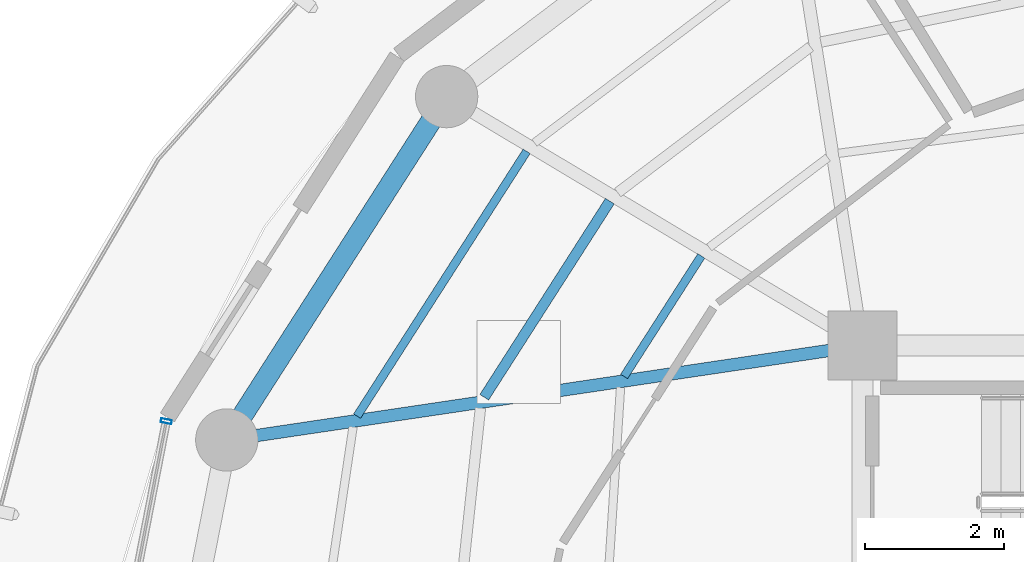
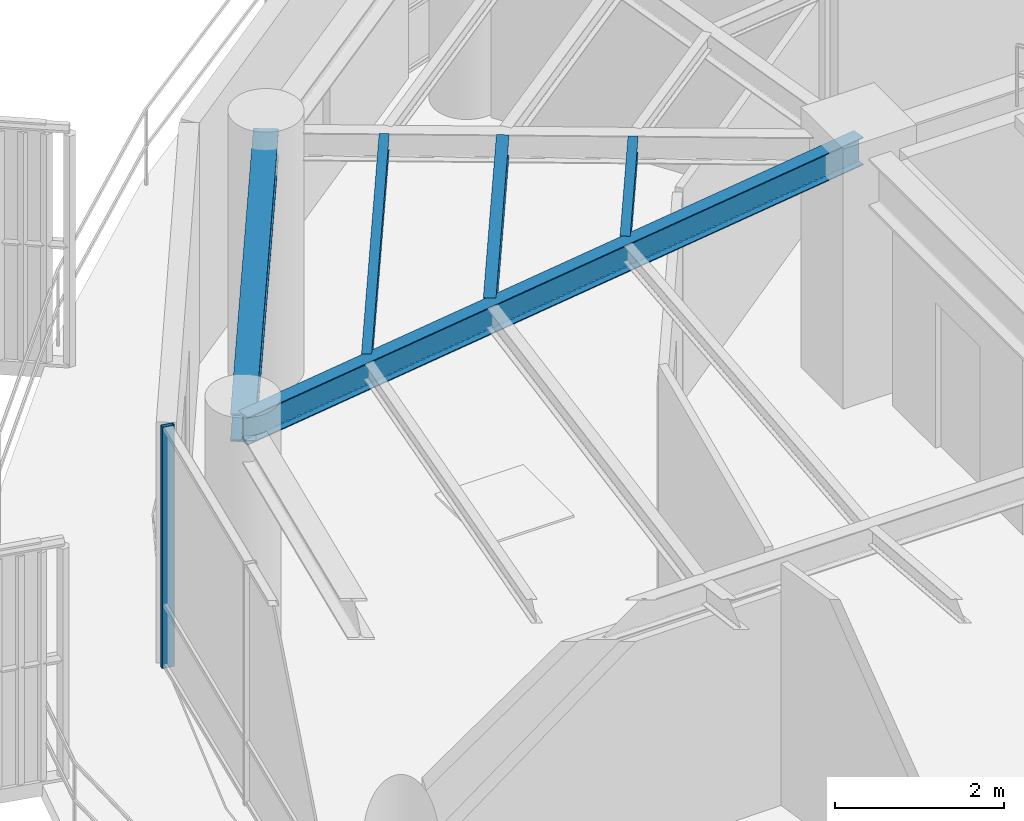
# One storey, part 7 of 22: 5 beams, 1 member, 1 element without a shape of its own.
"""IFC4 building model written with IfcOpenShell, lengths in metres."""

import ifcopenshell
import ifcopenshell.guid

model = None  # the IFC model being written
_history = None  # IfcOwnerHistory: only IFC2X3 demands one
_inside = {}  # id of a spatial element -> (the spatial element, [elements in it])
_under = {}  # id of a project, library or spatial element -> (it, [spatial elements below it])
_declared = {}  # id of a project -> (the project, [libraries it declares])
_typed = {}  # id of a type object -> (the type object, [elements of that type])
_made_of = {}  # id of a material, layer set ... -> (it, [elements and type objects made of it])


def new_model(schema):
    """Start an empty IFC model of exactly this schema.

    Asked for "IFC4X3", IfcOpenShell would pick the latest addendum, in which some entities
    have other attributes; the version numbers below select the first issue.
    IFC2X3 requires an IfcOwnerHistory on every rooted entity: one is made here for all.
    """
    global model, _history
    if schema == "IFC4X3":
        model = ifcopenshell.file(schema_version=(4, 3, 0, 0))
    else:
        model = ifcopenshell.file(schema=schema)
    _inside.clear()
    _under.clear()
    _declared.clear()
    _typed.clear()
    _made_of.clear()
    _history = None
    if model.schema == "IFC2X3":
        org = make("IfcOrganization", Name="unknown")
        user = make(
            "IfcPersonAndOrganization",
            ThePerson=make("IfcPerson", FamilyName="unknown"),
            TheOrganization=org,
        )
        app = make(
            "IfcApplication",
            ApplicationDeveloper=org,
            Version="unknown",
            ApplicationFullName="unknown",
            ApplicationIdentifier="unknown",
        )
        _history = make(
            "IfcOwnerHistory",
            OwningUser=user,
            OwningApplication=app,
            ChangeAction="ADDED",
            CreationDate=0,
        )
    return model


def make(cls, **values):
    """One entity of the class cls with the attributes given. An attribute that is None is left unset."""
    return model.create_entity(
        cls, **{name: value for name, value in values.items() if value is not None}
    )


def rooted(cls, **values):
    """An entity with a GlobalId (a new one), such as an element, a storey or a relation."""
    return make(cls, GlobalId=ifcopenshell.guid.new(), OwnerHistory=_history, **values)


def si_unit(unit_type, name, prefix=None):
    """IfcSIUnit, for example si_unit("LENGTHUNIT", "METRE", prefix="MILLI")."""
    return make("IfcSIUnit", UnitType=unit_type, Prefix=prefix, Name=name)


def assignment(units):
    """IfcUnitAssignment: the units of a project."""
    return None if units is None else make("IfcUnitAssignment", Units=units)


def point(xyz):
    """IfcCartesianPoint."""
    return None if xyz is None else make("IfcCartesianPoint", Coordinates=xyz)


def direction(xyz):
    """IfcDirection."""
    return None if xyz is None else make("IfcDirection", DirectionRatios=xyz)


def frame(location, z_axis=None, x_axis=None):
    """IfcAxis2Placement3D, a coordinate frame: its origin and axes. An axis left out is left unset."""
    return make(
        "IfcAxis2Placement3D",
        Location=point(location),
        Axis=direction(z_axis),
        RefDirection=direction(x_axis),
    )


def frame_2d(location, x_axis=None):
    """IfcAxis2Placement2D, a coordinate frame in the plane: its origin and x axis."""
    return make(
        "IfcAxis2Placement2D", Location=point(location), RefDirection=direction(x_axis)
    )


def origin():
    """The frame at (0, 0, 0) with its axes left unset."""
    return frame((0.0, 0.0, 0.0))


def origin_2d():
    """The frame at (0, 0) in the plane with its x axis left unset."""
    return frame_2d((0.0, 0.0))


def place(relative_to, where):
    """IfcLocalPlacement: puts the frame where relative to a parent placement (None: the world)."""
    return make(
        "IfcLocalPlacement", PlacementRelTo=relative_to, RelativePlacement=where
    )


def context(
    kind, dimensions, precision=None, world=None, true_north=None, identifier=None
):
    """IfcGeometricRepresentationContext, for example the 3D "Model" context."""
    return make(
        "IfcGeometricRepresentationContext",
        ContextIdentifier=identifier,
        ContextType=kind,
        CoordinateSpaceDimension=dimensions,
        Precision=precision,
        WorldCoordinateSystem=world,
        TrueNorth=true_north,
    )


def subcontext(parent, identifier, kind, view, scale=None):
    """IfcGeometricRepresentationSubContext, for example "Body" below "Model"."""
    return make(
        "IfcGeometricRepresentationSubContext",
        ContextIdentifier=identifier,
        ContextType=kind,
        ParentContext=parent,
        TargetScale=scale,
        TargetView=view,
    )


def project(units=None, contexts=None):
    """IfcProject with its units and contexts."""
    return rooted(
        "IfcProject",
        Name="project",
        RepresentationContexts=contexts,
        UnitsInContext=assignment(units),
    )


def spatial(cls, under=None, at=None, **own):
    """A site, building, storey or space (cls), placed at a placement, below another one or the project."""
    s = rooted(cls, ObjectPlacement=at, **own)
    if under is not None:
        _under.setdefault(under.id(), (under, []))[1].append(s)
    return s


def profile(cls, at=None, kind="AREA", **sizes):
    """A parametric profile (cls). Its sizes go by their IFC names, for example OverallWidth=200.0."""
    return make(cls, ProfileType=kind, Position=at, **sizes)


def hollow_rectangle(**sizes):
    """IfcRectangleHollowProfileDef."""
    return profile("IfcRectangleHollowProfileDef", **sizes)


def i_section(**sizes):
    """IfcIShapeProfileDef."""
    return profile("IfcIShapeProfileDef", **sizes)


def extrude(swept, where, along, depth):
    """IfcExtrudedAreaSolid: the profile swept, set in the frame where, extruded along a direction by depth."""
    return make(
        "IfcExtrudedAreaSolid",
        SweptArea=swept,
        Position=where,
        ExtrudedDirection=direction(along),
        Depth=depth,
    )


def shape(context_of_items, identifier, shape_type, items):
    """IfcShapeRepresentation: the items that make up one representation, for example the "Body"."""
    return make(
        "IfcShapeRepresentation",
        ContextOfItems=context_of_items,
        RepresentationIdentifier=identifier,
        RepresentationType=shape_type,
        Items=items,
    )


def material(Name=None, Category=None):
    """IfcMaterial."""
    return make("IfcMaterial", Name=Name, Category=Category)


def layer(
    of_material, thickness, ventilated=None, Name=None, Category=None, Priority=None
):
    """IfcMaterialLayer: one layer of a wall or slab, of a material (None: an air gap)."""
    return make(
        "IfcMaterialLayer",
        Material=of_material,
        LayerThickness=thickness,
        IsVentilated=ventilated,
        Name=Name,
        Category=Category,
        Priority=Priority,
    )


def layer_set(layers, Name=None):
    """IfcMaterialLayerSet."""
    return make("IfcMaterialLayerSet", MaterialLayers=layers, LayerSetName=Name)


def material_profile(
    of_material, cross_section, Name=None, Category=None, Priority=None
):
    """IfcMaterialProfile: a cross section and its material."""
    return make(
        "IfcMaterialProfile",
        Name=Name,
        Material=of_material,
        Profile=cross_section,
        Priority=Priority,
        Category=Category,
    )


def profile_set(profiles, Name=None, composite=None):
    """IfcMaterialProfileSet."""
    return make(
        "IfcMaterialProfileSet",
        Name=Name,
        MaterialProfiles=profiles,
        CompositeProfile=composite,
    )


def made_of(thing, what):
    """Note that an element or type object is made of a material, layer set ...; save() writes the relation."""
    if what is not None:
        _made_of.setdefault(what.id(), (what, []))[1].append(thing)
    return thing


def type_object(cls, material=None, **own):
    """A type object (cls), such as IfcWallType, which elements share."""
    return made_of(rooted(cls, **own), material)


def element(
    cls,
    number,
    at=None,
    inside=None,
    cuts=None,
    type_object=None,
    material=None,
    context=None,
    identifier="Body",
    shape_type=None,
    held_by="IfcProductDefinitionShape",
    body=None,
    shapes=None,
    **own,
):
    """One element of the class cls, such as IfcWall. Its Tag is "e" and its number.

    at: its placement. inside: the storey or other place that contains it. cuts: it is an
    opening in that element (IfcRelVoidsElement). A single representation is given by context,
    identifier, shape_type and body (its items); several are given by shapes. held_by: the class
    of the entity that holds the representations. save() writes the other relations.
    """
    e = rooted(cls, Tag="e%d" % number, ObjectPlacement=at, **own)
    if body is not None:
        shapes = [shape(context, identifier, shape_type, body)]
    if shapes is not None:
        e.Representation = make(held_by, Representations=shapes)
    if inside is not None:
        _inside.setdefault(inside.id(), (inside, []))[1].append(e)
    if cuts is not None:
        rooted(
            "IfcRelVoidsElement", RelatingBuildingElement=cuts, RelatedOpeningElement=e
        )
    if type_object is not None:
        _typed.setdefault(type_object.id(), (type_object, []))[1].append(e)
    return made_of(e, material)


def aggregate(whole, parts):
    """IfcRelAggregates: a whole, such as a stair, and the parts it consists of."""
    return rooted("IfcRelAggregates", RelatingObject=whole, RelatedObjects=parts)


def save(model, path):
    """Write the relations noted so far, then the file.

    IfcRelAggregates (storeys below a building ...), IfcRelContainedInSpatialStructure (elements
    in a storey), IfcRelDefinesByType, IfcRelAssociatesMaterial and IfcRelDeclares: one each for
    every whole, place, type object, material and project.
    """
    for whole, parts in _under.values():
        aggregate(whole, parts)
    for where, things in _inside.values():
        rooted(
            "IfcRelContainedInSpatialStructure",
            RelatedElements=things,
            RelatingStructure=where,
        )
    for kind, things in _typed.values():
        rooted("IfcRelDefinesByType", RelatedObjects=things, RelatingType=kind)
    for what, things in _made_of.values():
        rooted("IfcRelAssociatesMaterial", RelatedObjects=things, RelatingMaterial=what)
    for by, libraries in _declared.values():
        rooted("IfcRelDeclares", RelatingContext=by, RelatedDefinitions=libraries)
    model.write(path)


model = new_model("IFC4")

# Units and contexts
model_context = context("Model", 3, precision=1e-05, world=origin(), true_north=direction((0.0, 1.0)))
body_context = subcontext(model_context, "Body", "Model", "MODEL_VIEW")
ifc_project = project(units=[si_unit("LENGTHUNIT", "METRE"), si_unit("AREAUNIT", "SQUARE_METRE"), si_unit("VOLUMEUNIT", "CUBIC_METRE"), si_unit("PLANEANGLEUNIT", "RADIAN"), si_unit("MASSUNIT", "GRAM", prefix="KILO")], contexts=[model_context])

# Site, building, storey
site_placement = place(None, origin())
site = spatial("IfcSite", under=ifc_project, at=site_placement, CompositionType="ELEMENT")
building_placement = place(site_placement, origin())
building = spatial("IfcBuilding", under=site, at=building_placement, Name="Kelanora Arch Commons", CompositionType="ELEMENT")
storey_placement = place(building_placement, frame((0.0, 0.0, 267.449951171875)))
storey = spatial("IfcBuildingStorey", under=building, at=storey_placement, Name="L68", CompositionType="ELEMENT", Elevation=267.449951171875)

# Beams
ifc_material_1 = material(Name="Steel S355", Category="steel")
ifc_material_profile_1 = material_profile(ifc_material_1, i_section(OverallWidth=0.14990234375, OverallDepth=0.300048828125, WebThickness=0.007080078125, FlangeThickness=0.0107421875, FilletRadius=0.014892578125, at=origin_2d()), Name="IPE300")
ifc_profile_set_1 = profile_set([ifc_material_profile_1], Name="Steel S355")
beam_type_1 = type_object("IfcBeamType", Name="BM-JST-01", PredefinedType="JOIST", material=ifc_profile_set_1)
beam_1_placement = place(storey_placement, frame((62.352294921875, 67.084228515625, 3.340087890625), z_axis=(-0.539321586177, -0.842099891155, 0.0), x_axis=(0.842099891155, -0.539321586177, 0.0)))
element("IfcBeam", 1, at=beam_1_placement, inside=storey, type_object=beam_type_1, Name="Secondary Chord Joist BJB-14 L68", PredefinedType="JOIST", context=body_context, shape_type="SweptSolid", body=[
    extrude(i_section(OverallWidth=0.14990234375, OverallDepth=0.300048828125, WebThickness=0.007080078125, FlangeThickness=0.0107421875, FilletRadius=0.014892578125, at=origin_2d()), origin(), (0.0, 0.0, 1.0), 3.361572265625),
])
ifc_material_profile_2 = material_profile(ifc_material_1, i_section(OverallWidth=0.1201171875, OverallDepth=0.239990234375, WebThickness=0.006103515625, FlangeThickness=0.009765625, FilletRadius=0.014892578125, at=origin_2d()), Name="IPE240")
ifc_profile_set_2 = profile_set([ifc_material_profile_2], Name="Steel S355")
beam_type_2 = type_object("IfcBeamType", Name="BM-JST-02", PredefinedType="JOIST", material=ifc_profile_set_2)
beam_2_placement = place(storey_placement, frame((63.6728515625, 66.293701171875, 3.3701171875), z_axis=(-0.539311810315, -0.842106152011, 0.0), x_axis=(0.842106152011, -0.539311810315, 0.0)))
element("IfcBeam", 2, at=beam_2_placement, inside=storey, type_object=beam_type_2, Name="Secondary Chord Joist BJA-14 L68", PredefinedType="JOIST", context=body_context, shape_type="SweptSolid", body=[
    extrude(i_section(OverallWidth=0.1201171875, OverallDepth=0.239990234375, WebThickness=0.006103515625, FlangeThickness=0.009765625, FilletRadius=0.014892578125, at=origin_2d()), origin(), (0.0, 0.0, 1.0), 2.06640625),
])
beam_3_placement = place(storey_placement, frame((61.151611328125, 67.802978515625, 3.3701171875), z_axis=(-0.539288735289, -0.842120929552, 0.0), x_axis=(0.842120929552, -0.539288735289, 0.0)))
element("IfcBeam", 3, at=beam_3_placement, inside=storey, type_object=beam_type_2, Name="Secondary Chord Joist BJC-14 L68", PredefinedType="JOIST", context=body_context, shape_type="SweptSolid", body=[
    extrude(i_section(OverallWidth=0.1201171875, OverallDepth=0.239990234375, WebThickness=0.006103515625, FlangeThickness=0.009765625, FilletRadius=0.014892578125, at=origin_2d()), origin(), (0.0, 0.0, 1.0), 4.538818359375),
])
ifc_material_profile_3 = material_profile(ifc_material_1, i_section(OverallWidth=0.179931640625, OverallDepth=0.39990234375, WebThickness=0.008544921875, FlangeThickness=0.013427734375, FilletRadius=0.02099609375, at=origin_2d()), Name="IPE400")
ifc_profile_set_3 = profile_set([ifc_material_profile_3], Name="Steel S355")
beam_type_3 = type_object("IfcBeamType", Name="BM-RAD-Z5", PredefinedType="BEAM", material=ifc_profile_set_3)
beam_4_placement = place(storey_placement, frame((66.0, 65.0, 3.2900390625), z_axis=(-0.989142485564, -0.146959665395, 0.0), x_axis=(0.146959665395, -0.989142485564, 0.0)))
element("IfcBeam", 4, at=beam_4_placement, inside=storey, type_object=beam_type_3, Name="Radial Floor Girder BR-16 L68", PredefinedType="BEAM", context=body_context, shape_type="SweptSolid", body=[
    extrude(i_section(OverallWidth=0.179931640625, OverallDepth=0.39990234375, WebThickness=0.008544921875, FlangeThickness=0.013427734375, FilletRadius=0.02099609375, at=origin_2d()), origin(), (0.0, 0.0, 1.0), 9.2783203125),
])
ifc_material_profile_4 = material_profile(ifc_material_1, i_section(OverallWidth=0.300048828125, OverallDepth=0.39990234375, WebThickness=0.013427734375, FlangeThickness=0.02392578125, FilletRadius=0.027099609375, at=origin_2d()), Name="HEB400")
ifc_profile_set_4 = profile_set([ifc_material_profile_4], Name="Steel S355")
beam_type_4 = type_object("IfcBeamType", Name="BM-SPN-Z4", PredefinedType="SPANDREL", material=ifc_profile_set_4)
beam_5_placement = place(storey_placement, frame((59.99658203125, 68.593017578125, 3.2900390625), z_axis=(-0.539280851353, -0.842125978322, 0.0), x_axis=(0.842125978322, -0.539280851353, 0.0)))
element("IfcBeam", 5, at=beam_5_placement, inside=storey, type_object=beam_type_4, Name="Perimeter Spandrel Beam BS-14 L68", PredefinedType="SPANDREL", context=body_context, shape_type="SweptSolid", body=[
    extrude(i_section(OverallWidth=0.300048828125, OverallDepth=0.39990234375, WebThickness=0.013427734375, FlangeThickness=0.02392578125, FilletRadius=0.027099609375, at=origin_2d()), origin(), (0.0, 0.0, 1.0), 5.8857421875),
])

# Curtain wall, member
ifc_material_2 = material(Name="Terracotta ceramic-fritted low-E glass and aluminium", Category="masonry")
ifc_layer = layer(ifc_material_2, 0.18994140625)
ifc_layer_set = layer_set([ifc_layer], Name="Terracotta ceramic-fritted low-E glass and aluminium")
curtain_wall_type = type_object("IfcCurtainWallType", Name="CW-SYS-03", PredefinedType="NOTDEFINED", material=ifc_layer_set)
curtain_wall_placement = place(storey_placement, origin())
curtain_wall = element("IfcCurtainWall", 6, at=curtain_wall_placement, inside=storey, type_object=curtain_wall_type, Name="Unitised Curtain Wall L68-B08", PredefinedType="NOTDEFINED")
ifc_material_3 = material(Name="Powder-coated aluminium terracotta", Category="masonry")
ifc_material_profile_5 = material_profile(ifc_material_3, hollow_rectangle(XDim=0.159912109375, YDim=0.06005859375, WallThickness=0.0048828125, InnerFilletRadius=0.0048828125, OuterFilletRadius=0.010009765625, at=origin_2d()), Name="CWM160x60")
ifc_profile_set_5 = profile_set([ifc_material_profile_5], Name="Powder-coated aluminium terracotta")
member_type = type_object("IfcMemberType", Name="CWM-STD", PredefinedType="MULLION", material=ifc_profile_set_5)
member_placement = place(storey_placement, frame((55.94921875, 63.906982421875, 0.0), z_axis=(0.0, 0.0, 1.0), x_axis=(0.981595542501, -0.190971701941, 0.0)))
member = element("IfcMember", 7, at=member_placement, type_object=member_type, Name="CW-03 mullion 1", PredefinedType="MULLION", context=body_context, shape_type="SweptSolid", body=[
    extrude(hollow_rectangle(XDim=0.159912109375, YDim=0.06005859375, WallThickness=0.0048828125, InnerFilletRadius=0.0048828125, OuterFilletRadius=0.010009765625, at=origin_2d()), origin(), (0.0, 0.0, 1.0), 3.47509765625),
])
aggregate(curtain_wall, [member])

save(model, "model.ifc")
